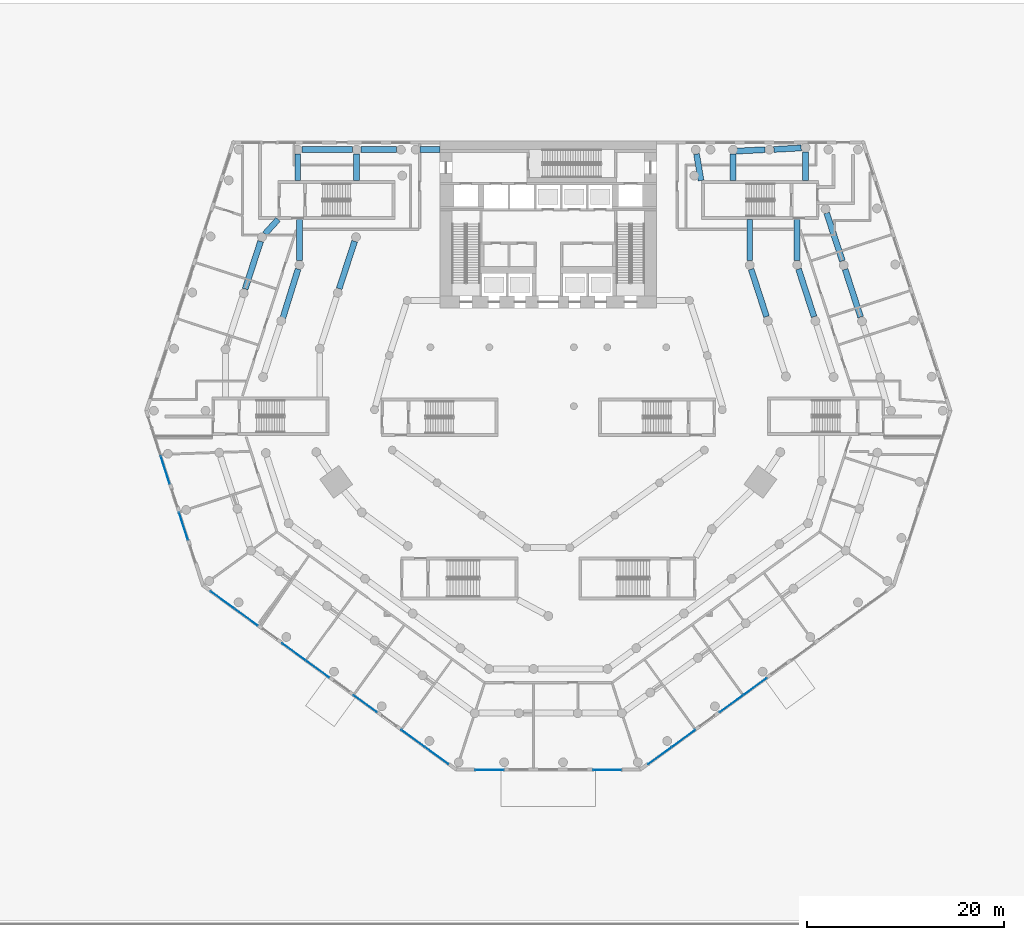
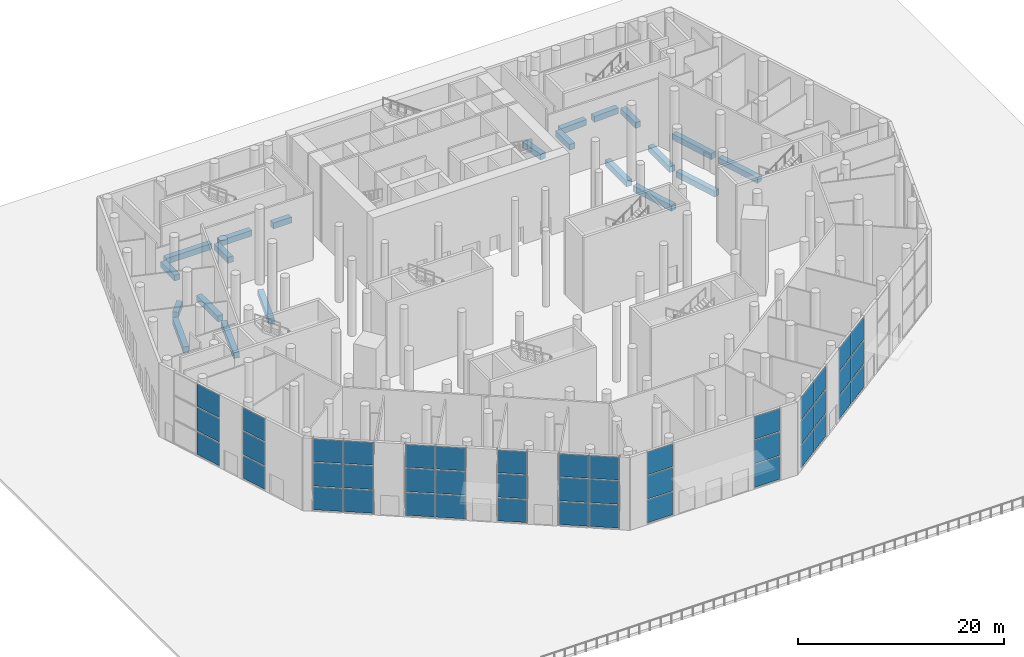
# One storey, part 7 of 25: 45 plates, 21 beams, 10 elements without a shape of their own.
"""IFC4 building model written with IfcOpenShell, lengths in metres."""

from ifc_helpers import new_model, si_unit, direction, frame, origin, origin_2d, place, context, subcontext, project, spatial, rectangle, extrude, material, layer, layer_set, material_profile, profile_set, type_object, element, aggregate, save


model = new_model("IFC4")

# Units and contexts
model_context = context("Model", 3, precision=1e-05, world=origin(), true_north=direction((0.0, 1.0)))
body_context = subcontext(model_context, "Body", "Model", "MODEL_VIEW")
ifc_project = project(units=[si_unit("LENGTHUNIT", "METRE"), si_unit("AREAUNIT", "SQUARE_METRE"), si_unit("VOLUMEUNIT", "CUBIC_METRE"), si_unit("PLANEANGLEUNIT", "RADIAN"), si_unit("MASSUNIT", "GRAM", prefix="KILO")], contexts=[model_context])

# Site, building, storey
site_placement = place(None, origin())
site = spatial("IfcSite", under=ifc_project, at=site_placement, CompositionType="ELEMENT")
building_placement = place(site_placement, origin())
building = spatial("IfcBuilding", under=site, at=building_placement, Name="White Candle Pilgrim Tower", CompositionType="ELEMENT")
storey_placement = place(building_placement, origin())
storey = spatial("IfcBuildingStorey", under=building, at=storey_placement, Name="L00", CompositionType="ELEMENT", Elevation=0.0)

# Beams
ifc_material_1 = material(Name="Concrete C50/60", Category="concrete")
ifc_material_profile = material_profile(ifc_material_1, rectangle(XDim=0.60009765625, YDim=0.699951171875, at=origin_2d()), Name="RC-BM 600x700")
ifc_profile_set = profile_set([ifc_material_profile], Name="Concrete C50/60")
beam_type = type_object("IfcBeamType", Name="Spandrel beam RC-BM 600x700 C50/60", PredefinedType="BEAM", material=ifc_profile_set)
beam_1_placement = place(storey_placement, frame((92.201171875, 70.117919921875, -0.800048828125), z_axis=(-0.308663940381, 0.951171158051, 0.0), x_axis=(-0.951171158051, -0.308663940381, 0.0)))
element("IfcBeam", 1, at=beam_1_placement, inside=storey, type_object=beam_type, Name="L00 spandrel beam T09", PredefinedType="BEAM", context=body_context, shape_type="SweptSolid", body=[
    extrude(rectangle(XDim=0.60009765625, YDim=0.699951171875, at=origin_2d()), origin(), (0.0, 0.0, 1.0), 5.061279296875),
])
beam_2_placement = place(storey_placement, frame((90.5, 75.81005859375, -0.800048828125), z_axis=(0.0, 1.0, 0.0), x_axis=(-1.0, 0.0, 0.0)))
element("IfcBeam", 2, at=beam_2_placement, inside=storey, type_object=beam_type, Name="L00 spandrel beam T10", PredefinedType="BEAM", context=body_context, shape_type="SweptSolid", body=[
    extrude(rectangle(XDim=0.60009765625, YDim=0.699951171875, at=origin_2d()), origin(), (0.0, 0.0, 1.0), 4.18994140625),
])
beam_3_placement = place(storey_placement, frame((50.29052734375, 77.772216796875, -0.800048828125), z_axis=(-0.310219521213, -0.950664950789, 0.0), x_axis=(0.950664950789, -0.310219521213, 0.0)))
element("IfcBeam", 3, at=beam_3_placement, inside=storey, type_object=beam_type, Name="L00 spandrel beam T11", PredefinedType="BEAM", context=body_context, shape_type="SweptSolid", body=[
    extrude(rectangle(XDim=0.60009765625, YDim=0.699951171875, at=origin_2d()), origin(), (0.0, 0.0, 1.0), 5.064208984375),
])
beam_4_placement = place(storey_placement, frame((101.780029296875, 70.06787109375, -0.800048828125), z_axis=(-0.309009217467, 0.951059043131, 0.0), x_axis=(-0.951059043131, -0.309009217467, 0.0)))
element("IfcBeam", 4, at=beam_4_placement, inside=storey, type_object=beam_type, Name="L00 spandrel beam B20", PredefinedType="BEAM", context=body_context, shape_type="SweptSolid", body=[
    extrude(rectangle(XDim=0.60009765625, YDim=0.699951171875, at=origin_2d()), origin(), (0.0, 0.0, 1.0), 5.099853515625),
])
beam_5_placement = place(storey_placement, frame((99.926025390625, 75.773681640625, -0.800048828125), z_axis=(-0.31102580926, 0.950401465684, 0.0), x_axis=(-0.950401465684, -0.31102580926, 0.0)))
element("IfcBeam", 5, at=beam_5_placement, inside=storey, type_object=beam_type, Name="L00 spandrel beam B21", PredefinedType="BEAM", context=body_context, shape_type="SweptSolid", body=[
    extrude(rectangle(XDim=0.60009765625, YDim=0.699951171875, at=origin_2d()), origin(), (0.0, 0.0, 1.0), 5.143798828125),
])
beam_6_placement = place(storey_placement, frame((96.180908203125, 86.85009765625, -0.800048828125), z_axis=(0.0, -1.0, 0.0), x_axis=(1.0, 0.0, 0.0)))
element("IfcBeam", 6, at=beam_6_placement, inside=storey, type_object=beam_type, Name="L00 spandrel beam B22", PredefinedType="BEAM", context=body_context, shape_type="SweptSolid", body=[
    extrude(rectangle(XDim=0.60009765625, YDim=0.699951171875, at=origin_2d()), origin(), (0.0, 0.0, 1.0), 2.900146484375),
])
beam_7_placement = place(storey_placement, frame((44.5, 86.64990234375, -0.800048828125), z_axis=(0.0, -1.0, 0.0), x_axis=(1.0, 0.0, 0.0)))
element("IfcBeam", 7, at=beam_7_placement, inside=storey, type_object=beam_type, Name="L00 spandrel beam B23", PredefinedType="BEAM", context=body_context, shape_type="SweptSolid", body=[
    extrude(rectangle(XDim=0.60009765625, YDim=0.699951171875, at=origin_2d()), origin(), (0.0, 0.0, 1.0), 2.699951171875),
])
beam_8_placement = place(storey_placement, frame((41.16455078125, 78.53173828125, -0.800048828125), z_axis=(0.67285645111, 0.739773070745, 0.0), x_axis=(-0.739773070745, 0.67285645111, 0.0)))
element("IfcBeam", 8, at=beam_8_placement, inside=storey, type_object=beam_type, Name="L00 spandrel beam B24", PredefinedType="BEAM", context=body_context, shape_type="SweptSolid", body=[
    extrude(rectangle(XDim=0.60009765625, YDim=0.699951171875, at=origin_2d()), origin(), (0.0, 0.0, 1.0), 1.98486328125),
])
beam_9_placement = place(storey_placement, frame((40.722900390625, 77.771240234375, -0.800048828125), z_axis=(-0.309009217467, -0.951059043131, 0.0), x_axis=(0.951059043131, -0.309009217467, 0.0)))
element("IfcBeam", 9, at=beam_9_placement, inside=storey, type_object=beam_type, Name="L00 spandrel beam B25", PredefinedType="BEAM", context=body_context, shape_type="SweptSolid", body=[
    extrude(rectangle(XDim=0.60009765625, YDim=0.699951171875, at=origin_2d()), origin(), (0.0, 0.0, 1.0), 5.099853515625),
])
beam_10_placement = place(storey_placement, frame((97.037109375, 70.103759765625, -0.800048828125), z_axis=(-0.30905251673, 0.951044973649, 0.0), x_axis=(-0.951044973649, -0.30905251673, 0.0)))
element("IfcBeam", 10, at=beam_10_placement, inside=storey, type_object=beam_type, Name="L00 spandrel beam C17", PredefinedType="BEAM", context=body_context, shape_type="SweptSolid", body=[
    extrude(rectangle(XDim=0.60009765625, YDim=0.699951171875, at=origin_2d()), origin(), (0.0, 0.0, 1.0), 5.10009765625),
])
beam_11_placement = place(storey_placement, frame((95.322021484375, 75.83203125, -0.800048828125), z_axis=(0.0, 1.0, 0.0), x_axis=(-1.0, 0.0, 0.0)))
element("IfcBeam", 11, at=beam_11_placement, inside=storey, type_object=beam_type, Name="L00 spandrel beam C18", PredefinedType="BEAM", context=body_context, shape_type="SweptSolid", body=[
    extrude(rectangle(XDim=0.60009765625, YDim=0.699951171875, at=origin_2d()), origin(), (0.0, 0.0, 1.0), 4.16796875),
])
for number, where, z_axis, x_axis, name in (
    (12, (88.800048828125, 86.64990234375, -0.800048828125), (0.0, -1.0, 0.0), (1.0, 0.0, 0.0), "L00 spandrel beam C19"),
    (13, (50.5, 86.64990234375, -0.800048828125), (0.0, -1.0, 0.0), (1.0, 0.0, 0.0), "L00 spandrel beam C20"),
):
    element("IfcBeam", number, at=place(storey_placement, frame(where, z_axis=z_axis, x_axis=x_axis)), inside=storey, type_object=beam_type, Name=name, PredefinedType="BEAM", context=body_context, shape_type="SweptSolid", body=[
        extrude(rectangle(XDim=0.60009765625, YDim=0.699951171875, at=origin_2d()), origin(), (0.0, 0.0, 1.0), 2.699951171875),
    ])
beam_12_placement = place(storey_placement, frame((44.677978515625, 75.83203125, -0.800048828125), z_axis=(0.0, 1.0, 0.0), x_axis=(-1.0, 0.0, 0.0)))
element("IfcBeam", 14, at=beam_12_placement, inside=storey, type_object=beam_type, Name="L00 spandrel beam C21", PredefinedType="BEAM", context=body_context, shape_type="SweptSolid", body=[
    extrude(rectangle(XDim=0.60009765625, YDim=0.699951171875, at=origin_2d()), origin(), (0.0, 0.0, 1.0), 4.16796875),
])
beam_13_placement = place(storey_placement, frame((44.5390625, 74.9541015625, -0.800048828125), z_axis=(-0.29725094102, -0.954799391528, 0.0), x_axis=(0.954799391528, -0.29725094102, 0.0)))
element("IfcBeam", 15, at=beam_13_placement, inside=storey, type_object=beam_type, Name="L00 spandrel beam C22", PredefinedType="BEAM", context=body_context, shape_type="SweptSolid", body=[
    extrude(rectangle(XDim=0.60009765625, YDim=0.699951171875, at=origin_2d()), origin(), (0.0, 0.0, 1.0), 5.552978515625),
])
beam_14_placement = place(storey_placement, frame((44.949951171875, 87.10009765625, -0.800048828125), z_axis=(1.0, 0.0, 0.0), x_axis=(0.0, 1.0, 0.0)))
element("IfcBeam", 16, at=beam_14_placement, inside=storey, type_object=beam_type, Name="L00 spandrel beam N01", PredefinedType="BEAM", context=body_context, shape_type="SweptSolid", body=[
    extrude(rectangle(XDim=0.60009765625, YDim=0.699951171875, at=origin_2d()), origin(), (0.0, 0.0, 1.0), 5.10009765625),
])
beam_15_placement = place(storey_placement, frame((50.949951171875, 87.10009765625, -0.800048828125), z_axis=(1.0, 0.0, 0.0), x_axis=(0.0, 1.0, 0.0)))
element("IfcBeam", 17, at=beam_15_placement, inside=storey, type_object=beam_type, Name="L00 spandrel beam N02", PredefinedType="BEAM", context=body_context, shape_type="SweptSolid", body=[
    extrude(rectangle(XDim=0.60009765625, YDim=0.699951171875, at=origin_2d()), origin(), (0.0, 0.0, 1.0), 3.60009765625),
])
beam_16_placement = place(storey_placement, frame((56.949951171875, 87.10009765625, -0.800048828125), z_axis=(1.0, 0.0, 0.0), x_axis=(0.0, 1.0, 0.0)))
element("IfcBeam", 18, at=beam_16_placement, inside=storey, type_object=beam_type, Name="L00 spandrel beam N03", PredefinedType="BEAM", context=body_context, shape_type="SweptSolid", body=[
    extrude(rectangle(XDim=0.60009765625, YDim=0.699951171875, at=origin_2d()), origin(), (0.0, 0.0, 1.0), 2.050048828125),
])
beam_17_placement = place(storey_placement, frame((85.084228515625, 86.658203125, -0.800048828125), z_axis=(0.167221493224, -0.985919353803, 0.0), x_axis=(0.985919353803, 0.167221493224, 0.0)))
element("IfcBeam", 19, at=beam_17_placement, inside=storey, type_object=beam_type, Name="L00 spandrel beam N04", PredefinedType="BEAM", context=body_context, shape_type="SweptSolid", body=[
    extrude(rectangle(XDim=0.60009765625, YDim=0.699951171875, at=origin_2d()), origin(), (0.0, 0.0, 1.0), 2.734619140625),
])
beam_18_placement = place(storey_placement, frame((89.11328125, 86.953857421875, -0.800048828125), z_axis=(0.99876246402, 0.049734700802, 0.0), x_axis=(-0.049734700802, 0.99876246402, 0.0)))
element("IfcBeam", 20, at=beam_18_placement, inside=storey, type_object=beam_type, Name="L00 spandrel beam N05", PredefinedType="BEAM", context=body_context, shape_type="SweptSolid", body=[
    extrude(rectangle(XDim=0.60009765625, YDim=0.699951171875, at=origin_2d()), origin(), (0.0, 0.0, 1.0), 2.9404296875),
])
beam_19_placement = place(storey_placement, frame((92.94921875, 87.12451171875, -0.800048828125), z_axis=(0.998528329196, 0.05423260821, 0.0), x_axis=(-0.05423260821, 0.998528329196, 0.0)))
element("IfcBeam", 21, at=beam_19_placement, inside=storey, type_object=beam_type, Name="L00 spandrel beam N06", PredefinedType="BEAM", context=body_context, shape_type="SweptSolid", body=[
    extrude(rectangle(XDim=0.60009765625, YDim=0.699951171875, at=origin_2d()), origin(), (0.0, 0.0, 1.0), 2.78662109375),
])

# Curtain wall, plates
ifc_material_2 = material(Name="Aluminium and glass", Category="aluminium")
curtain_wall_type = type_object("IfcCurtainWallType", Name="Curtain wall CW1 hall glazing", PredefinedType="NOTDEFINED", material=ifc_material_2)
curtain_wall_1_placement = place(storey_placement, origin())
curtain_wall_1 = element("IfcCurtainWall", 22, at=curtain_wall_1_placement, inside=storey, type_object=curtain_wall_type, Name="Curtain wall CW1 L00 W chamfer", PredefinedType="NOTDEFINED")
ifc_material_3 = material(Name="Glass, triple glazed", Category="glass")
ifc_layer = layer(ifc_material_3, 0.0400390625)
ifc_layer_set = layer_set([ifc_layer], Name="CW1 glazing panel 40")
plate_type = type_object("IfcPlateType", Name="CW1 glazing panel 40", PredefinedType="CURTAIN_PANEL", material=ifc_layer_set)
plate_1_placement = place(storey_placement, frame((31.0126953125, 54.50244140625, 0.1201171875), z_axis=(0.0, 0.0, 1.0), x_axis=(0.309016994325, -0.951056516311, 0.0)))
plate_1 = element("IfcPlate", 23, at=plate_1_placement, type_object=plate_type, Name="CW1 panel 2.1", PredefinedType="CURTAIN_PANEL", context=body_context, shape_type="SweptSolid", body=[
    extrude(rectangle(XDim=2.909912109375, YDim=0.0400390625, at=origin_2d()), origin(), (0.0, 0.0, 1.0), 2.703369140625),
])
plate_2_placement = place(storey_placement, frame((31.0126953125, 54.50244140625, 2.943359375), z_axis=(0.0, 0.0, 1.0), x_axis=(0.309016994325, -0.951056516311, 0.0)))
plate_2 = element("IfcPlate", 24, at=plate_2_placement, type_object=plate_type, Name="CW1 panel 2.2", PredefinedType="CURTAIN_PANEL", context=body_context, shape_type="SweptSolid", body=[
    extrude(rectangle(XDim=2.909912109375, YDim=0.0400390625, at=origin_2d()), origin(), (0.0, 0.0, 1.0), 2.763427734375),
])
plate_3_placement = place(storey_placement, frame((31.0126953125, 54.50244140625, 5.82666015625), z_axis=(0.0, 0.0, 1.0), x_axis=(0.309016994325, -0.951056516311, 0.0)))
plate_3 = element("IfcPlate", 25, at=plate_3_placement, type_object=plate_type, Name="CW1 panel 2.3", PredefinedType="CURTAIN_PANEL", context=body_context, shape_type="SweptSolid", body=[
    extrude(rectangle(XDim=2.909912109375, YDim=0.0400390625, at=origin_2d()), origin(), (0.0, 0.0, 1.0), 2.703369140625),
])
aggregate(curtain_wall_1, [plate_1, plate_2, plate_3])

curtain_wall_2_placement = place(storey_placement, origin())
curtain_wall_2 = element("IfcCurtainWall", 26, at=curtain_wall_2_placement, inside=storey, type_object=curtain_wall_type, Name="Curtain wall CW1 L00 W chamfer", PredefinedType="NOTDEFINED")
plate_4_placement = place(storey_placement, frame((32.87158203125, 48.78173828125, 0.1201171875), z_axis=(0.0, 0.0, 1.0), x_axis=(0.309016994325, -0.951056516311, 0.0)))
plate_4 = element("IfcPlate", 27, at=plate_4_placement, type_object=plate_type, Name="CW1 panel 1.1", PredefinedType="CURTAIN_PANEL", context=body_context, shape_type="SweptSolid", body=[
    extrude(rectangle(XDim=2.8798828125, YDim=0.0400390625, at=origin_2d()), origin(), (0.0, 0.0, 1.0), 2.703369140625),
])
plate_5_placement = place(storey_placement, frame((32.87158203125, 48.78173828125, 2.943359375), z_axis=(0.0, 0.0, 1.0), x_axis=(0.309016994325, -0.951056516311, 0.0)))
plate_5 = element("IfcPlate", 28, at=plate_5_placement, type_object=plate_type, Name="CW1 panel 1.2", PredefinedType="CURTAIN_PANEL", context=body_context, shape_type="SweptSolid", body=[
    extrude(rectangle(XDim=2.8798828125, YDim=0.0400390625, at=origin_2d()), origin(), (0.0, 0.0, 1.0), 2.763427734375),
])
plate_6_placement = place(storey_placement, frame((32.87158203125, 48.78173828125, 5.82666015625), z_axis=(0.0, 0.0, 1.0), x_axis=(0.309016994325, -0.951056516311, 0.0)))
plate_6 = element("IfcPlate", 29, at=plate_6_placement, type_object=plate_type, Name="CW1 panel 1.3", PredefinedType="CURTAIN_PANEL", context=body_context, shape_type="SweptSolid", body=[
    extrude(rectangle(XDim=2.8798828125, YDim=0.0400390625, at=origin_2d()), origin(), (0.0, 0.0, 1.0), 2.703369140625),
])
aggregate(curtain_wall_2, [plate_4, plate_5, plate_6])

curtain_wall_3_placement = place(storey_placement, origin())
curtain_wall_3 = element("IfcCurtainWall", 30, at=curtain_wall_3_placement, inside=storey, type_object=curtain_wall_type, Name="Curtain wall CW1 L00 SW", PredefinedType="NOTDEFINED")
plate_7_placement = place(storey_placement, frame((36.828125, 41.28466796875, 0.1201171875), z_axis=(0.0, 0.0, 1.0), x_axis=(0.809016991051, -0.587785256867, 0.0)))
plate_7 = element("IfcPlate", 31, at=plate_7_placement, type_object=plate_type, Name="CW1 panel 1.1", PredefinedType="CURTAIN_PANEL", context=body_context, shape_type="SweptSolid", body=[
    extrude(rectangle(XDim=2.909912109375, YDim=0.0400390625, at=origin_2d()), origin(), (0.0, 0.0, 1.0), 2.703369140625),
])
plate_8_placement = place(storey_placement, frame((36.828125, 41.28466796875, 2.943359375), z_axis=(0.0, 0.0, 1.0), x_axis=(0.809016991051, -0.587785256867, 0.0)))
plate_8 = element("IfcPlate", 32, at=plate_8_placement, type_object=plate_type, Name="CW1 panel 1.2", PredefinedType="CURTAIN_PANEL", context=body_context, shape_type="SweptSolid", body=[
    extrude(rectangle(XDim=2.909912109375, YDim=0.0400390625, at=origin_2d()), origin(), (0.0, 0.0, 1.0), 2.763427734375),
])
plate_9_placement = place(storey_placement, frame((36.828125, 41.28466796875, 5.82666015625), z_axis=(0.0, 0.0, 1.0), x_axis=(0.809016991051, -0.587785256867, 0.0)))
plate_9 = element("IfcPlate", 33, at=plate_9_placement, type_object=plate_type, Name="CW1 panel 1.3", PredefinedType="CURTAIN_PANEL", context=body_context, shape_type="SweptSolid", body=[
    extrude(rectangle(XDim=2.909912109375, YDim=0.0400390625, at=origin_2d()), origin(), (0.0, 0.0, 1.0), 2.703369140625),
])
plate_10_placement = place(storey_placement, frame((39.230712890625, 39.5390625, 0.1201171875), z_axis=(0.0, 0.0, 1.0), x_axis=(0.809016991051, -0.587785256867, 0.0)))
plate_10 = element("IfcPlate", 34, at=plate_10_placement, type_object=plate_type, Name="CW1 panel 2.1", PredefinedType="CURTAIN_PANEL", context=body_context, shape_type="SweptSolid", body=[
    extrude(rectangle(XDim=2.909912109375, YDim=0.0400390625, at=origin_2d()), origin(), (0.0, 0.0, 1.0), 2.703369140625),
])
plate_11_placement = place(storey_placement, frame((39.230712890625, 39.5390625, 2.943359375), z_axis=(0.0, 0.0, 1.0), x_axis=(0.809016991051, -0.587785256867, 0.0)))
plate_11 = element("IfcPlate", 35, at=plate_11_placement, type_object=plate_type, Name="CW1 panel 2.2", PredefinedType="CURTAIN_PANEL", context=body_context, shape_type="SweptSolid", body=[
    extrude(rectangle(XDim=2.909912109375, YDim=0.0400390625, at=origin_2d()), origin(), (0.0, 0.0, 1.0), 2.763427734375),
])
plate_12_placement = place(storey_placement, frame((39.230712890625, 39.5390625, 5.82666015625), z_axis=(0.0, 0.0, 1.0), x_axis=(0.809016991051, -0.587785256867, 0.0)))
plate_12 = element("IfcPlate", 36, at=plate_12_placement, type_object=plate_type, Name="CW1 panel 2.3", PredefinedType="CURTAIN_PANEL", context=body_context, shape_type="SweptSolid", body=[
    extrude(rectangle(XDim=2.909912109375, YDim=0.0400390625, at=origin_2d()), origin(), (0.0, 0.0, 1.0), 2.703369140625),
])
aggregate(curtain_wall_3, [plate_7, plate_8, plate_9, plate_10, plate_11, plate_12])

curtain_wall_4_placement = place(storey_placement, origin())
curtain_wall_4 = element("IfcCurtainWall", 37, at=curtain_wall_4_placement, inside=storey, type_object=curtain_wall_type, Name="Curtain wall CW1 L00 SW", PredefinedType="NOTDEFINED")
plate_13_placement = place(storey_placement, frame((44.109130859375, 35.99462890625, 0.1201171875), z_axis=(0.0, 0.0, 1.0), x_axis=(0.809016991102, -0.587785256797, 0.0)))
plate_13 = element("IfcPlate", 38, at=plate_13_placement, type_object=plate_type, Name="CW1 panel 1.1", PredefinedType="CURTAIN_PANEL", context=body_context, shape_type="SweptSolid", body=[
    extrude(rectangle(XDim=2.909912109375, YDim=0.0400390625, at=origin_2d()), origin(), (0.0, 0.0, 1.0), 2.703369140625),
])
plate_14_placement = place(storey_placement, frame((44.109130859375, 35.99462890625, 2.943359375), z_axis=(0.0, 0.0, 1.0), x_axis=(0.809016991102, -0.587785256797, 0.0)))
plate_14 = element("IfcPlate", 39, at=plate_14_placement, type_object=plate_type, Name="CW1 panel 1.2", PredefinedType="CURTAIN_PANEL", context=body_context, shape_type="SweptSolid", body=[
    extrude(rectangle(XDim=2.909912109375, YDim=0.0400390625, at=origin_2d()), origin(), (0.0, 0.0, 1.0), 2.763427734375),
])
plate_15_placement = place(storey_placement, frame((44.109130859375, 35.99462890625, 5.82666015625), z_axis=(0.0, 0.0, 1.0), x_axis=(0.809016991102, -0.587785256797, 0.0)))
plate_15 = element("IfcPlate", 40, at=plate_15_placement, type_object=plate_type, Name="CW1 panel 1.3", PredefinedType="CURTAIN_PANEL", context=body_context, shape_type="SweptSolid", body=[
    extrude(rectangle(XDim=2.909912109375, YDim=0.0400390625, at=origin_2d()), origin(), (0.0, 0.0, 1.0), 2.703369140625),
])
plate_16_placement = place(storey_placement, frame((46.511962890625, 34.2490234375, 0.1201171875), z_axis=(0.0, 0.0, 1.0), x_axis=(0.809016991102, -0.587785256797, 0.0)))
plate_16 = element("IfcPlate", 41, at=plate_16_placement, type_object=plate_type, Name="CW1 panel 2.1", PredefinedType="CURTAIN_PANEL", context=body_context, shape_type="SweptSolid", body=[
    extrude(rectangle(XDim=2.909912109375, YDim=0.0400390625, at=origin_2d()), origin(), (0.0, 0.0, 1.0), 2.703369140625),
])
plate_17_placement = place(storey_placement, frame((46.511962890625, 34.2490234375, 2.943359375), z_axis=(0.0, 0.0, 1.0), x_axis=(0.809016991102, -0.587785256797, 0.0)))
plate_17 = element("IfcPlate", 42, at=plate_17_placement, type_object=plate_type, Name="CW1 panel 2.2", PredefinedType="CURTAIN_PANEL", context=body_context, shape_type="SweptSolid", body=[
    extrude(rectangle(XDim=2.909912109375, YDim=0.0400390625, at=origin_2d()), origin(), (0.0, 0.0, 1.0), 2.763427734375),
])
plate_18_placement = place(storey_placement, frame((46.511962890625, 34.2490234375, 5.82666015625), z_axis=(0.0, 0.0, 1.0), x_axis=(0.809016991102, -0.587785256797, 0.0)))
plate_18 = element("IfcPlate", 43, at=plate_18_placement, type_object=plate_type, Name="CW1 panel 2.3", PredefinedType="CURTAIN_PANEL", context=body_context, shape_type="SweptSolid", body=[
    extrude(rectangle(XDim=2.909912109375, YDim=0.0400390625, at=origin_2d()), origin(), (0.0, 0.0, 1.0), 2.703369140625),
])
aggregate(curtain_wall_4, [plate_13, plate_14, plate_15, plate_16, plate_17, plate_18])

curtain_wall_5_placement = place(storey_placement, origin())
curtain_wall_5 = element("IfcCurtainWall", 44, at=curtain_wall_5_placement, inside=storey, type_object=curtain_wall_type, Name="Curtain wall CW1 L00 SW", PredefinedType="NOTDEFINED")
plate_19_placement = place(storey_placement, frame((51.378173828125, 30.71337890625, 0.1201171875), z_axis=(0.0, 0.0, 1.0), x_axis=(0.809016990969, -0.58778525698, 0.0)))
plate_19 = element("IfcPlate", 45, at=plate_19_placement, type_object=plate_type, Name="CW1 panel 1.1", PredefinedType="CURTAIN_PANEL", context=body_context, shape_type="SweptSolid", body=[
    extrude(rectangle(XDim=2.8798828125, YDim=0.0400390625, at=origin_2d()), origin(), (0.0, 0.0, 1.0), 2.703369140625),
])
plate_20_placement = place(storey_placement, frame((51.378173828125, 30.71337890625, 2.943359375), z_axis=(0.0, 0.0, 1.0), x_axis=(0.809016990969, -0.58778525698, 0.0)))
plate_20 = element("IfcPlate", 46, at=plate_20_placement, type_object=plate_type, Name="CW1 panel 1.2", PredefinedType="CURTAIN_PANEL", context=body_context, shape_type="SweptSolid", body=[
    extrude(rectangle(XDim=2.8798828125, YDim=0.0400390625, at=origin_2d()), origin(), (0.0, 0.0, 1.0), 2.763427734375),
])
plate_21_placement = place(storey_placement, frame((51.378173828125, 30.71337890625, 5.82666015625), z_axis=(0.0, 0.0, 1.0), x_axis=(0.809016990969, -0.58778525698, 0.0)))
plate_21 = element("IfcPlate", 47, at=plate_21_placement, type_object=plate_type, Name="CW1 panel 1.3", PredefinedType="CURTAIN_PANEL", context=body_context, shape_type="SweptSolid", body=[
    extrude(rectangle(XDim=2.8798828125, YDim=0.0400390625, at=origin_2d()), origin(), (0.0, 0.0, 1.0), 2.703369140625),
])
aggregate(curtain_wall_5, [plate_19, plate_20, plate_21])

curtain_wall_6_placement = place(storey_placement, origin())
curtain_wall_6 = element("IfcCurtainWall", 48, at=curtain_wall_6_placement, inside=storey, type_object=curtain_wall_type, Name="Curtain wall CW1 L00 SW", PredefinedType="NOTDEFINED")
plate_22_placement = place(storey_placement, frame((56.244384765625, 27.177978515625, 0.1201171875), z_axis=(0.0, 0.0, 1.0), x_axis=(0.809016991051, -0.587785256867, 0.0)))
plate_22 = element("IfcPlate", 49, at=plate_22_placement, type_object=plate_type, Name="CW1 panel 1.1", PredefinedType="CURTAIN_PANEL", context=body_context, shape_type="SweptSolid", body=[
    extrude(rectangle(XDim=2.909912109375, YDim=0.0400390625, at=origin_2d()), origin(), (0.0, 0.0, 1.0), 2.703369140625),
])
plate_23_placement = place(storey_placement, frame((56.244384765625, 27.177978515625, 2.943359375), z_axis=(0.0, 0.0, 1.0), x_axis=(0.809016991051, -0.587785256867, 0.0)))
plate_23 = element("IfcPlate", 50, at=plate_23_placement, type_object=plate_type, Name="CW1 panel 1.2", PredefinedType="CURTAIN_PANEL", context=body_context, shape_type="SweptSolid", body=[
    extrude(rectangle(XDim=2.909912109375, YDim=0.0400390625, at=origin_2d()), origin(), (0.0, 0.0, 1.0), 2.763427734375),
])
plate_24_placement = place(storey_placement, frame((56.244384765625, 27.177978515625, 5.82666015625), z_axis=(0.0, 0.0, 1.0), x_axis=(0.809016991051, -0.587785256867, 0.0)))
plate_24 = element("IfcPlate", 51, at=plate_24_placement, type_object=plate_type, Name="CW1 panel 1.3", PredefinedType="CURTAIN_PANEL", context=body_context, shape_type="SweptSolid", body=[
    extrude(rectangle(XDim=2.909912109375, YDim=0.0400390625, at=origin_2d()), origin(), (0.0, 0.0, 1.0), 2.703369140625),
])
plate_25_placement = place(storey_placement, frame((58.647216796875, 25.43212890625, 0.1201171875), z_axis=(0.0, 0.0, 1.0), x_axis=(0.809016991051, -0.587785256867, 0.0)))
plate_25 = element("IfcPlate", 52, at=plate_25_placement, type_object=plate_type, Name="CW1 panel 2.1", PredefinedType="CURTAIN_PANEL", context=body_context, shape_type="SweptSolid", body=[
    extrude(rectangle(XDim=2.909912109375, YDim=0.0400390625, at=origin_2d()), origin(), (0.0, 0.0, 1.0), 2.703369140625),
])
plate_26_placement = place(storey_placement, frame((58.647216796875, 25.43212890625, 2.943359375), z_axis=(0.0, 0.0, 1.0), x_axis=(0.809016991051, -0.587785256867, 0.0)))
plate_26 = element("IfcPlate", 53, at=plate_26_placement, type_object=plate_type, Name="CW1 panel 2.2", PredefinedType="CURTAIN_PANEL", context=body_context, shape_type="SweptSolid", body=[
    extrude(rectangle(XDim=2.909912109375, YDim=0.0400390625, at=origin_2d()), origin(), (0.0, 0.0, 1.0), 2.763427734375),
])
plate_27_placement = place(storey_placement, frame((58.647216796875, 25.43212890625, 5.82666015625), z_axis=(0.0, 0.0, 1.0), x_axis=(0.809016991051, -0.587785256867, 0.0)))
plate_27 = element("IfcPlate", 54, at=plate_27_placement, type_object=plate_type, Name="CW1 panel 2.3", PredefinedType="CURTAIN_PANEL", context=body_context, shape_type="SweptSolid", body=[
    extrude(rectangle(XDim=2.909912109375, YDim=0.0400390625, at=origin_2d()), origin(), (0.0, 0.0, 1.0), 2.703369140625),
])
aggregate(curtain_wall_6, [plate_22, plate_23, plate_24, plate_25, plate_26, plate_27])

curtain_wall_7_placement = place(storey_placement, origin())
curtain_wall_7 = element("IfcCurtainWall", 55, at=curtain_wall_7_placement, inside=storey, type_object=curtain_wall_type, Name="Curtain wall CW1 L00 S chamfer", PredefinedType="NOTDEFINED")
plate_28_placement = place(storey_placement, frame((64.0, 23.986083984375, 0.1201171875), z_axis=(0.0, 0.0, 1.0), x_axis=(1.0, 0.0, 0.0)))
plate_28 = element("IfcPlate", 56, at=plate_28_placement, type_object=plate_type, Name="CW1 panel 1.1", PredefinedType="CURTAIN_PANEL", context=body_context, shape_type="SweptSolid", body=[
    extrude(rectangle(XDim=2.8798828125, YDim=0.0400390625, at=origin_2d()), origin(), (0.0, 0.0, 1.0), 2.703369140625),
])
plate_29_placement = place(storey_placement, frame((64.0, 23.986083984375, 2.943359375), z_axis=(0.0, 0.0, 1.0), x_axis=(1.0, 0.0, 0.0)))
plate_29 = element("IfcPlate", 57, at=plate_29_placement, type_object=plate_type, Name="CW1 panel 1.2", PredefinedType="CURTAIN_PANEL", context=body_context, shape_type="SweptSolid", body=[
    extrude(rectangle(XDim=2.8798828125, YDim=0.0400390625, at=origin_2d()), origin(), (0.0, 0.0, 1.0), 2.763427734375),
])
plate_30_placement = place(storey_placement, frame((64.0, 23.986083984375, 5.82666015625), z_axis=(0.0, 0.0, 1.0), x_axis=(1.0, 0.0, 0.0)))
plate_30 = element("IfcPlate", 58, at=plate_30_placement, type_object=plate_type, Name="CW1 panel 1.3", PredefinedType="CURTAIN_PANEL", context=body_context, shape_type="SweptSolid", body=[
    extrude(rectangle(XDim=2.8798828125, YDim=0.0400390625, at=origin_2d()), origin(), (0.0, 0.0, 1.0), 2.703369140625),
])
aggregate(curtain_wall_7, [plate_28, plate_29, plate_30])

curtain_wall_8_placement = place(storey_placement, origin())
curtain_wall_8 = element("IfcCurtainWall", 59, at=curtain_wall_8_placement, inside=storey, type_object=curtain_wall_type, Name="Curtain wall CW1 L00 S chamfer", PredefinedType="NOTDEFINED")
plate_31_placement = place(storey_placement, frame((76.0, 23.986083984375, 0.1201171875), z_axis=(0.0, 0.0, 1.0), x_axis=(1.0, 0.0, 0.0)))
plate_31 = element("IfcPlate", 60, at=plate_31_placement, type_object=plate_type, Name="CW1 panel 1.1", PredefinedType="CURTAIN_PANEL", context=body_context, shape_type="SweptSolid", body=[
    extrude(rectangle(XDim=2.8798828125, YDim=0.0400390625, at=origin_2d()), origin(), (0.0, 0.0, 1.0), 2.703369140625),
])
plate_32_placement = place(storey_placement, frame((76.0, 23.986083984375, 2.943359375), z_axis=(0.0, 0.0, 1.0), x_axis=(1.0, 0.0, 0.0)))
plate_32 = element("IfcPlate", 61, at=plate_32_placement, type_object=plate_type, Name="CW1 panel 1.2", PredefinedType="CURTAIN_PANEL", context=body_context, shape_type="SweptSolid", body=[
    extrude(rectangle(XDim=2.8798828125, YDim=0.0400390625, at=origin_2d()), origin(), (0.0, 0.0, 1.0), 2.763427734375),
])
plate_33_placement = place(storey_placement, frame((76.0, 23.986083984375, 5.82666015625), z_axis=(0.0, 0.0, 1.0), x_axis=(1.0, 0.0, 0.0)))
plate_33 = element("IfcPlate", 62, at=plate_33_placement, type_object=plate_type, Name="CW1 panel 1.3", PredefinedType="CURTAIN_PANEL", context=body_context, shape_type="SweptSolid", body=[
    extrude(rectangle(XDim=2.8798828125, YDim=0.0400390625, at=origin_2d()), origin(), (0.0, 0.0, 1.0), 2.703369140625),
])
aggregate(curtain_wall_8, [plate_31, plate_32, plate_33])

curtain_wall_9_placement = place(storey_placement, origin())
curtain_wall_9 = element("IfcCurtainWall", 63, at=curtain_wall_9_placement, inside=storey, type_object=curtain_wall_type, Name="Curtain wall CW1 L00 SE", PredefinedType="NOTDEFINED")
plate_34_placement = place(storey_placement, frame((81.352783203125, 25.43212890625, 0.1201171875), z_axis=(0.0, 0.0, 1.0), x_axis=(0.809016991051, 0.587785256867, 0.0)))
plate_34 = element("IfcPlate", 64, at=plate_34_placement, type_object=plate_type, Name="CW1 panel 1.1", PredefinedType="CURTAIN_PANEL", context=body_context, shape_type="SweptSolid", body=[
    extrude(rectangle(XDim=2.909912109375, YDim=0.0400390625, at=origin_2d()), origin(), (0.0, 0.0, 1.0), 2.703369140625),
])
plate_35_placement = place(storey_placement, frame((81.352783203125, 25.43212890625, 2.943359375), z_axis=(0.0, 0.0, 1.0), x_axis=(0.809016991051, 0.587785256867, 0.0)))
plate_35 = element("IfcPlate", 65, at=plate_35_placement, type_object=plate_type, Name="CW1 panel 1.2", PredefinedType="CURTAIN_PANEL", context=body_context, shape_type="SweptSolid", body=[
    extrude(rectangle(XDim=2.909912109375, YDim=0.0400390625, at=origin_2d()), origin(), (0.0, 0.0, 1.0), 2.763427734375),
])
plate_36_placement = place(storey_placement, frame((81.352783203125, 25.43212890625, 5.82666015625), z_axis=(0.0, 0.0, 1.0), x_axis=(0.809016991051, 0.587785256867, 0.0)))
plate_36 = element("IfcPlate", 66, at=plate_36_placement, type_object=plate_type, Name="CW1 panel 1.3", PredefinedType="CURTAIN_PANEL", context=body_context, shape_type="SweptSolid", body=[
    extrude(rectangle(XDim=2.909912109375, YDim=0.0400390625, at=origin_2d()), origin(), (0.0, 0.0, 1.0), 2.703369140625),
])
plate_37_placement = place(storey_placement, frame((83.755615234375, 27.177978515625, 0.1201171875), z_axis=(0.0, 0.0, 1.0), x_axis=(0.809016991051, 0.587785256867, 0.0)))
plate_37 = element("IfcPlate", 67, at=plate_37_placement, type_object=plate_type, Name="CW1 panel 2.1", PredefinedType="CURTAIN_PANEL", context=body_context, shape_type="SweptSolid", body=[
    extrude(rectangle(XDim=2.909912109375, YDim=0.0400390625, at=origin_2d()), origin(), (0.0, 0.0, 1.0), 2.703369140625),
])
plate_38_placement = place(storey_placement, frame((83.755615234375, 27.177978515625, 2.943359375), z_axis=(0.0, 0.0, 1.0), x_axis=(0.809016991051, 0.587785256867, 0.0)))
plate_38 = element("IfcPlate", 68, at=plate_38_placement, type_object=plate_type, Name="CW1 panel 2.2", PredefinedType="CURTAIN_PANEL", context=body_context, shape_type="SweptSolid", body=[
    extrude(rectangle(XDim=2.909912109375, YDim=0.0400390625, at=origin_2d()), origin(), (0.0, 0.0, 1.0), 2.763427734375),
])
plate_39_placement = place(storey_placement, frame((83.755615234375, 27.177978515625, 5.82666015625), z_axis=(0.0, 0.0, 1.0), x_axis=(0.809016991051, 0.587785256867, 0.0)))
plate_39 = element("IfcPlate", 69, at=plate_39_placement, type_object=plate_type, Name="CW1 panel 2.3", PredefinedType="CURTAIN_PANEL", context=body_context, shape_type="SweptSolid", body=[
    extrude(rectangle(XDim=2.909912109375, YDim=0.0400390625, at=origin_2d()), origin(), (0.0, 0.0, 1.0), 2.703369140625),
])
aggregate(curtain_wall_9, [plate_34, plate_35, plate_36, plate_37, plate_38, plate_39])

curtain_wall_10_placement = place(storey_placement, origin())
curtain_wall_10 = element("IfcCurtainWall", 70, at=curtain_wall_10_placement, inside=storey, type_object=curtain_wall_type, Name="Curtain wall CW1 L00 SE", PredefinedType="NOTDEFINED")
plate_40_placement = place(storey_placement, frame((88.634033203125, 30.72216796875, 0.1201171875), z_axis=(0.0, 0.0, 1.0), x_axis=(0.809016991102, 0.587785256797, 0.0)))
plate_40 = element("IfcPlate", 71, at=plate_40_placement, type_object=plate_type, Name="CW1 panel 1.1", PredefinedType="CURTAIN_PANEL", context=body_context, shape_type="SweptSolid", body=[
    extrude(rectangle(XDim=2.909912109375, YDim=0.0400390625, at=origin_2d()), origin(), (0.0, 0.0, 1.0), 2.703369140625),
])
plate_41_placement = place(storey_placement, frame((88.634033203125, 30.72216796875, 2.943359375), z_axis=(0.0, 0.0, 1.0), x_axis=(0.809016991102, 0.587785256797, 0.0)))
plate_41 = element("IfcPlate", 72, at=plate_41_placement, type_object=plate_type, Name="CW1 panel 1.2", PredefinedType="CURTAIN_PANEL", context=body_context, shape_type="SweptSolid", body=[
    extrude(rectangle(XDim=2.909912109375, YDim=0.0400390625, at=origin_2d()), origin(), (0.0, 0.0, 1.0), 2.763427734375),
])
plate_42_placement = place(storey_placement, frame((88.634033203125, 30.72216796875, 5.82666015625), z_axis=(0.0, 0.0, 1.0), x_axis=(0.809016991102, 0.587785256797, 0.0)))
plate_42 = element("IfcPlate", 73, at=plate_42_placement, type_object=plate_type, Name="CW1 panel 1.3", PredefinedType="CURTAIN_PANEL", context=body_context, shape_type="SweptSolid", body=[
    extrude(rectangle(XDim=2.909912109375, YDim=0.0400390625, at=origin_2d()), origin(), (0.0, 0.0, 1.0), 2.703369140625),
])
plate_43_placement = place(storey_placement, frame((91.03662109375, 32.468017578125, 0.1201171875), z_axis=(0.0, 0.0, 1.0), x_axis=(0.809016991102, 0.587785256797, 0.0)))
plate_43 = element("IfcPlate", 74, at=plate_43_placement, type_object=plate_type, Name="CW1 panel 2.1", PredefinedType="CURTAIN_PANEL", context=body_context, shape_type="SweptSolid", body=[
    extrude(rectangle(XDim=2.909912109375, YDim=0.0400390625, at=origin_2d()), origin(), (0.0, 0.0, 1.0), 2.703369140625),
])
plate_44_placement = place(storey_placement, frame((91.03662109375, 32.468017578125, 2.943359375), z_axis=(0.0, 0.0, 1.0), x_axis=(0.809016991102, 0.587785256797, 0.0)))
plate_44 = element("IfcPlate", 75, at=plate_44_placement, type_object=plate_type, Name="CW1 panel 2.2", PredefinedType="CURTAIN_PANEL", context=body_context, shape_type="SweptSolid", body=[
    extrude(rectangle(XDim=2.909912109375, YDim=0.0400390625, at=origin_2d()), origin(), (0.0, 0.0, 1.0), 2.763427734375),
])
plate_45_placement = place(storey_placement, frame((91.03662109375, 32.468017578125, 5.82666015625), z_axis=(0.0, 0.0, 1.0), x_axis=(0.809016991102, 0.587785256797, 0.0)))
plate_45 = element("IfcPlate", 76, at=plate_45_placement, type_object=plate_type, Name="CW1 panel 2.3", PredefinedType="CURTAIN_PANEL", context=body_context, shape_type="SweptSolid", body=[
    extrude(rectangle(XDim=2.909912109375, YDim=0.0400390625, at=origin_2d()), origin(), (0.0, 0.0, 1.0), 2.703369140625),
])
aggregate(curtain_wall_10, [plate_40, plate_41, plate_42, plate_43, plate_44, plate_45])

save(model, "model.ifc")
